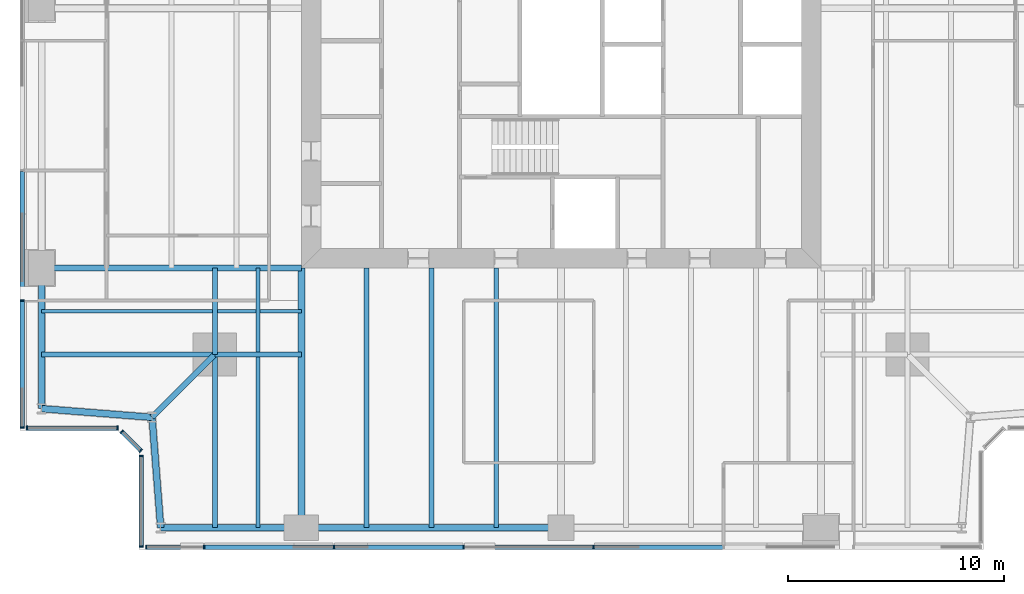
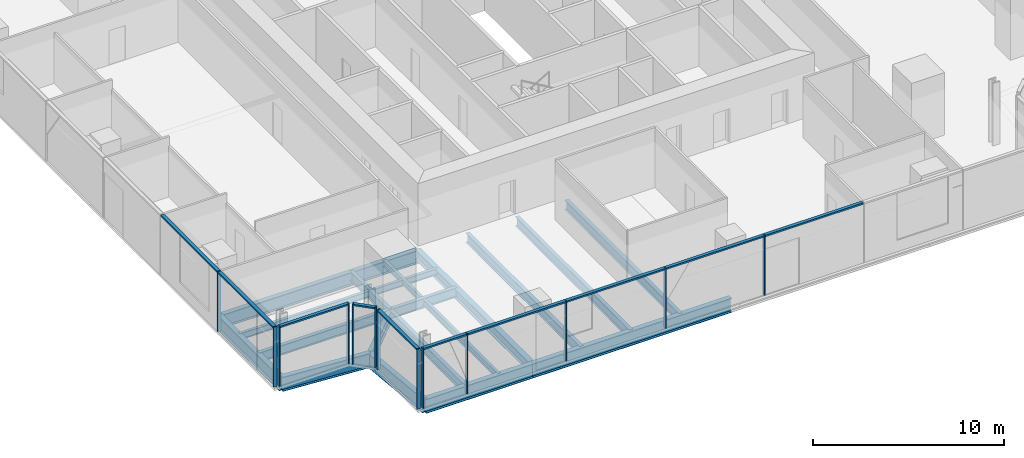
# One storey, part 2 of 14: 23 members, 20 beams, 5 elements without a shape of their own.
"""IFC4 building model written with IfcOpenShell, lengths in metres."""

import ifcopenshell
import ifcopenshell.guid

model = None  # the IFC model being written
_history = None  # IfcOwnerHistory: only IFC2X3 demands one
_inside = {}  # id of a spatial element -> (the spatial element, [elements in it])
_under = {}  # id of a project, library or spatial element -> (it, [spatial elements below it])
_declared = {}  # id of a project -> (the project, [libraries it declares])
_typed = {}  # id of a type object -> (the type object, [elements of that type])
_made_of = {}  # id of a material, layer set ... -> (it, [elements and type objects made of it])


def new_model(schema):
    """Start an empty IFC model of exactly this schema.

    Asked for "IFC4X3", IfcOpenShell would pick the latest addendum, in which some entities
    have other attributes; the version numbers below select the first issue.
    IFC2X3 requires an IfcOwnerHistory on every rooted entity: one is made here for all.
    """
    global model, _history
    if schema == "IFC4X3":
        model = ifcopenshell.file(schema_version=(4, 3, 0, 0))
    else:
        model = ifcopenshell.file(schema=schema)
    _inside.clear()
    _under.clear()
    _declared.clear()
    _typed.clear()
    _made_of.clear()
    _history = None
    if model.schema == "IFC2X3":
        org = make("IfcOrganization", Name="unknown")
        user = make(
            "IfcPersonAndOrganization",
            ThePerson=make("IfcPerson", FamilyName="unknown"),
            TheOrganization=org,
        )
        app = make(
            "IfcApplication",
            ApplicationDeveloper=org,
            Version="unknown",
            ApplicationFullName="unknown",
            ApplicationIdentifier="unknown",
        )
        _history = make(
            "IfcOwnerHistory",
            OwningUser=user,
            OwningApplication=app,
            ChangeAction="ADDED",
            CreationDate=0,
        )
    return model


def make(cls, **values):
    """One entity of the class cls with the attributes given. An attribute that is None is left unset."""
    return model.create_entity(
        cls, **{name: value for name, value in values.items() if value is not None}
    )


def rooted(cls, **values):
    """An entity with a GlobalId (a new one), such as an element, a storey or a relation."""
    return make(cls, GlobalId=ifcopenshell.guid.new(), OwnerHistory=_history, **values)


def si_unit(unit_type, name, prefix=None):
    """IfcSIUnit, for example si_unit("LENGTHUNIT", "METRE", prefix="MILLI")."""
    return make("IfcSIUnit", UnitType=unit_type, Prefix=prefix, Name=name)


def assignment(units):
    """IfcUnitAssignment: the units of a project."""
    return None if units is None else make("IfcUnitAssignment", Units=units)


def point(xyz):
    """IfcCartesianPoint."""
    return None if xyz is None else make("IfcCartesianPoint", Coordinates=xyz)


def direction(xyz):
    """IfcDirection."""
    return None if xyz is None else make("IfcDirection", DirectionRatios=xyz)


def frame(location, z_axis=None, x_axis=None):
    """IfcAxis2Placement3D, a coordinate frame: its origin and axes. An axis left out is left unset."""
    return make(
        "IfcAxis2Placement3D",
        Location=point(location),
        Axis=direction(z_axis),
        RefDirection=direction(x_axis),
    )


def frame_2d(location, x_axis=None):
    """IfcAxis2Placement2D, a coordinate frame in the plane: its origin and x axis."""
    return make(
        "IfcAxis2Placement2D", Location=point(location), RefDirection=direction(x_axis)
    )


def origin():
    """The frame at (0, 0, 0) with its axes left unset."""
    return frame((0.0, 0.0, 0.0))


def origin_2d():
    """The frame at (0, 0) in the plane with its x axis left unset."""
    return frame_2d((0.0, 0.0))


def place(relative_to, where):
    """IfcLocalPlacement: puts the frame where relative to a parent placement (None: the world)."""
    return make(
        "IfcLocalPlacement", PlacementRelTo=relative_to, RelativePlacement=where
    )


def context(
    kind, dimensions, precision=None, world=None, true_north=None, identifier=None
):
    """IfcGeometricRepresentationContext, for example the 3D "Model" context."""
    return make(
        "IfcGeometricRepresentationContext",
        ContextIdentifier=identifier,
        ContextType=kind,
        CoordinateSpaceDimension=dimensions,
        Precision=precision,
        WorldCoordinateSystem=world,
        TrueNorth=true_north,
    )


def subcontext(parent, identifier, kind, view, scale=None):
    """IfcGeometricRepresentationSubContext, for example "Body" below "Model"."""
    return make(
        "IfcGeometricRepresentationSubContext",
        ContextIdentifier=identifier,
        ContextType=kind,
        ParentContext=parent,
        TargetScale=scale,
        TargetView=view,
    )


def project(units=None, contexts=None):
    """IfcProject with its units and contexts."""
    return rooted(
        "IfcProject",
        Name="project",
        RepresentationContexts=contexts,
        UnitsInContext=assignment(units),
    )


def spatial(cls, under=None, at=None, **own):
    """A site, building, storey or space (cls), placed at a placement, below another one or the project."""
    s = rooted(cls, ObjectPlacement=at, **own)
    if under is not None:
        _under.setdefault(under.id(), (under, []))[1].append(s)
    return s


def profile(cls, at=None, kind="AREA", **sizes):
    """A parametric profile (cls). Its sizes go by their IFC names, for example OverallWidth=200.0."""
    return make(cls, ProfileType=kind, Position=at, **sizes)


def rectangle(**sizes):
    """IfcRectangleProfileDef."""
    return profile("IfcRectangleProfileDef", **sizes)


def i_section(**sizes):
    """IfcIShapeProfileDef."""
    return profile("IfcIShapeProfileDef", **sizes)


def extrude(swept, where, along, depth):
    """IfcExtrudedAreaSolid: the profile swept, set in the frame where, extruded along a direction by depth."""
    return make(
        "IfcExtrudedAreaSolid",
        SweptArea=swept,
        Position=where,
        ExtrudedDirection=direction(along),
        Depth=depth,
    )


def shape(context_of_items, identifier, shape_type, items):
    """IfcShapeRepresentation: the items that make up one representation, for example the "Body"."""
    return make(
        "IfcShapeRepresentation",
        ContextOfItems=context_of_items,
        RepresentationIdentifier=identifier,
        RepresentationType=shape_type,
        Items=items,
    )


def material(Name=None, Category=None):
    """IfcMaterial."""
    return make("IfcMaterial", Name=Name, Category=Category)


def material_profile(
    of_material, cross_section, Name=None, Category=None, Priority=None
):
    """IfcMaterialProfile: a cross section and its material."""
    return make(
        "IfcMaterialProfile",
        Name=Name,
        Material=of_material,
        Profile=cross_section,
        Priority=Priority,
        Category=Category,
    )


def profile_set(profiles, Name=None, composite=None):
    """IfcMaterialProfileSet."""
    return make(
        "IfcMaterialProfileSet",
        Name=Name,
        MaterialProfiles=profiles,
        CompositeProfile=composite,
    )


def made_of(thing, what):
    """Note that an element or type object is made of a material, layer set ...; save() writes the relation."""
    if what is not None:
        _made_of.setdefault(what.id(), (what, []))[1].append(thing)
    return thing


def type_object(cls, material=None, **own):
    """A type object (cls), such as IfcWallType, which elements share."""
    return made_of(rooted(cls, **own), material)


def element(
    cls,
    number,
    at=None,
    inside=None,
    cuts=None,
    type_object=None,
    material=None,
    context=None,
    identifier="Body",
    shape_type=None,
    held_by="IfcProductDefinitionShape",
    body=None,
    shapes=None,
    **own,
):
    """One element of the class cls, such as IfcWall. Its Tag is "e" and its number.

    at: its placement. inside: the storey or other place that contains it. cuts: it is an
    opening in that element (IfcRelVoidsElement). A single representation is given by context,
    identifier, shape_type and body (its items); several are given by shapes. held_by: the class
    of the entity that holds the representations. save() writes the other relations.
    """
    e = rooted(cls, Tag="e%d" % number, ObjectPlacement=at, **own)
    if body is not None:
        shapes = [shape(context, identifier, shape_type, body)]
    if shapes is not None:
        e.Representation = make(held_by, Representations=shapes)
    if inside is not None:
        _inside.setdefault(inside.id(), (inside, []))[1].append(e)
    if cuts is not None:
        rooted(
            "IfcRelVoidsElement", RelatingBuildingElement=cuts, RelatedOpeningElement=e
        )
    if type_object is not None:
        _typed.setdefault(type_object.id(), (type_object, []))[1].append(e)
    return made_of(e, material)


def aggregate(whole, parts):
    """IfcRelAggregates: a whole, such as a stair, and the parts it consists of."""
    return rooted("IfcRelAggregates", RelatingObject=whole, RelatedObjects=parts)


def save(model, path):
    """Write the relations noted so far, then the file.

    IfcRelAggregates (storeys below a building ...), IfcRelContainedInSpatialStructure (elements
    in a storey), IfcRelDefinesByType, IfcRelAssociatesMaterial and IfcRelDeclares: one each for
    every whole, place, type object, material and project.
    """
    for whole, parts in _under.values():
        aggregate(whole, parts)
    for where, things in _inside.values():
        rooted(
            "IfcRelContainedInSpatialStructure",
            RelatedElements=things,
            RelatingStructure=where,
        )
    for kind, things in _typed.values():
        rooted("IfcRelDefinesByType", RelatedObjects=things, RelatingType=kind)
    for what, things in _made_of.values():
        rooted("IfcRelAssociatesMaterial", RelatedObjects=things, RelatingMaterial=what)
    for by, libraries in _declared.values():
        rooted("IfcRelDeclares", RelatingContext=by, RelatedDefinitions=libraries)
    model.write(path)


model = new_model("IFC4")

# Units and contexts
model_context = context("Model", 3, precision=1e-05, world=origin(), true_north=direction((0.0, 1.0)))
body_context = subcontext(model_context, "Body", "Model", "MODEL_VIEW")
ifc_project = project(units=[si_unit("LENGTHUNIT", "METRE"), si_unit("AREAUNIT", "SQUARE_METRE"), si_unit("VOLUMEUNIT", "CUBIC_METRE"), si_unit("PLANEANGLEUNIT", "RADIAN"), si_unit("MASSUNIT", "GRAM", prefix="KILO")], contexts=[model_context])

# Site, building, storey
site_placement = place(None, origin())
site = spatial("IfcSite", under=ifc_project, at=site_placement, CompositionType="ELEMENT")
building_placement = place(site_placement, origin())
building = spatial("IfcBuilding", under=site, at=building_placement, Name="Fenwick Lantern Interchange", CompositionType="ELEMENT")
storey_placement = place(building_placement, frame((0.0, 0.0, 173.800048828125)))
storey = spatial("IfcBuildingStorey", under=building, at=storey_placement, Name="L40", CompositionType="ELEMENT", Elevation=173.800048828125)

# Beams
ifc_material_1 = material(Name="Steel ASTM A992 Grade 50", Category="steel")
ifc_material_profile_1 = material_profile(ifc_material_1, i_section(OverallWidth=0.3046875, OverallDepth=0.911865234375, WebThickness=0.015869140625, FlangeThickness=0.02392578125, at=origin_2d()), Name="W36X150")
ifc_profile_set_1 = profile_set([ifc_material_profile_1], Name="Steel ASTM A992 Grade 50")
beam_type_1 = type_object("IfcBeamType", Name="EDGE BEAM W36X150", PredefinedType="SPANDREL", material=ifc_profile_set_1)
beam_1_placement = place(storey_placement, frame((6.5, 1.0, -0.60595703125), z_axis=(1.0, 0.0, 0.0), x_axis=(0.0, 1.0, 0.0)))
element("IfcBeam", 1, at=beam_1_placement, inside=storey, type_object=beam_type_1, Name="L40/FR/S/EB1", PredefinedType="SPANDREL", context=body_context, shape_type="SweptSolid", body=[
    extrude(i_section(OverallWidth=0.3046875, OverallDepth=0.911865234375, WebThickness=0.015869140625, FlangeThickness=0.02392578125, at=origin_2d()), origin(), (0.0, 0.0, 1.0), 6.5),
])
beam_2_placement = place(storey_placement, frame((13.0, 1.0, -0.60595703125), z_axis=(1.0, 0.0, 0.0), x_axis=(0.0, 1.0, 0.0)))
element("IfcBeam", 2, at=beam_2_placement, inside=storey, type_object=beam_type_1, Name="L40/FR/S/EB2", PredefinedType="SPANDREL", context=body_context, shape_type="SweptSolid", body=[
    extrude(i_section(OverallWidth=0.3046875, OverallDepth=0.911865234375, WebThickness=0.015869140625, FlangeThickness=0.02392578125, at=origin_2d()), origin(), (0.0, 0.0, 1.0), 12.0),
])
beam_3_placement = place(storey_placement, frame((1.0, 13.0, -0.60595703125), z_axis=(0.0, -1.0, 0.0), x_axis=(1.0, 0.0, 0.0)))
element("IfcBeam", 3, at=beam_3_placement, inside=storey, type_object=beam_type_1, Name="L40/FR/W/EB4", PredefinedType="SPANDREL", context=body_context, shape_type="SweptSolid", body=[
    extrude(i_section(OverallWidth=0.3046875, OverallDepth=0.911865234375, WebThickness=0.015869140625, FlangeThickness=0.02392578125, at=origin_2d()), origin(), (0.0, 0.0, 1.0), 6.5),
])
for number, where, z_axis, x_axis, name in (
    (4, (1.0, 6.5, -0.60595703125), (0.99693998236, -0.078170784639, 0.0), (0.078170784639, 0.99693998236, 0.0), "L40/FR/W/EBR1"),
    (5, (6.10009765625, 6.10009765625, -0.60595703125), (0.078170784639, -0.99693998236, 0.0), (0.99693998236, 0.078170784639, 0.0), "L40/FR/W/EBR2"),
):
    element("IfcBeam", number, at=place(storey_placement, frame(where, z_axis=z_axis, x_axis=x_axis)), inside=storey, type_object=beam_type_1, Name=name, PredefinedType="SPANDREL", context=body_context, shape_type="SweptSolid", body=[
        extrude(i_section(OverallWidth=0.3046875, OverallDepth=0.911865234375, WebThickness=0.015869140625, FlangeThickness=0.02392578125, at=origin_2d()), origin(), (0.0, 0.0, 1.0), 5.11572265625),
    ])
ifc_material_profile_2 = material_profile(ifc_material_1, i_section(OverallWidth=0.22900390625, OverallDepth=0.612060546875, WebThickness=0.011962890625, FlangeThickness=0.01953125, at=origin_2d()), Name="W24X84")
ifc_profile_set_2 = profile_set([ifc_material_profile_2], Name="Steel ASTM A992 Grade 50")
beam_type_2 = type_object("IfcBeamType", Name="FLOOR BEAM W24X84", PredefinedType="BEAM", material=ifc_profile_set_2)
for number, where, z_axis, x_axis, name in (
    (6, (16.0, 1.0, -0.4560546875), (0.0, 1.0, 0.0), (-1.0, 0.0, 0.0), "L40/FR/S/R02"),
    (7, (19.0, 1.0, -0.4560546875), (0.0, 1.0, 0.0), (-1.0, 0.0, 0.0), "L40/FR/S/R03"),
    (8, (22.0, 1.0, -0.4560546875), (0.0, 1.0, 0.0), (-1.0, 0.0, 0.0), "L40/FR/S/R04"),
):
    element("IfcBeam", number, at=place(storey_placement, frame(where, z_axis=z_axis, x_axis=x_axis)), inside=storey, type_object=beam_type_2, Name=name, PredefinedType="BEAM", context=body_context, shape_type="SweptSolid", body=[
        extrude(i_section(OverallWidth=0.22900390625, OverallDepth=0.612060546875, WebThickness=0.011962890625, FlangeThickness=0.01953125, at=origin_2d()), origin(), (0.0, 0.0, 1.0), 12.0),
    ])
ifc_material_profile_3 = material_profile(ifc_material_1, i_section(OverallWidth=0.177734375, OverallDepth=0.406494140625, WebThickness=0.0078125, FlangeThickness=0.012939453125, at=origin_2d()), Name="W16X40")
ifc_profile_set_3 = profile_set([ifc_material_profile_3], Name="Steel ASTM A992 Grade 50")
beam_type_3 = type_object("IfcBeamType", Name="INFILL BEAM W16X40", PredefinedType="JOIST", material=ifc_profile_set_3)
beam_4_placement = place(storey_placement, frame((11.0, 1.0, -0.353271484375), z_axis=(0.0, 1.0, 0.0), x_axis=(-1.0, 0.0, 0.0)))
element("IfcBeam", 9, at=beam_4_placement, inside=storey, type_object=beam_type_3, Name="L40/FR/S/J1", PredefinedType="JOIST", context=body_context, shape_type="SweptSolid", body=[
    extrude(i_section(OverallWidth=0.177734375, OverallDepth=0.406494140625, WebThickness=0.0078125, FlangeThickness=0.012939453125, at=origin_2d()), origin(), (0.0, 0.0, 1.0), 7.885498046875),
])
beam_5_placement = place(storey_placement, frame((11.0, 9.114501953125, -0.353271484375), z_axis=(0.0, 1.0, 0.0), x_axis=(-1.0, 0.0, 0.0)))
element("IfcBeam", 10, at=beam_5_placement, inside=storey, type_object=beam_type_3, Name="L40/FR/S/J2", PredefinedType="JOIST", context=body_context, shape_type="SweptSolid", body=[
    extrude(i_section(OverallWidth=0.177734375, OverallDepth=0.406494140625, WebThickness=0.0078125, FlangeThickness=0.012939453125, at=origin_2d()), origin(), (0.0, 0.0, 1.0), 3.885498046875),
])
beam_6_placement = place(storey_placement, frame((1.0, 11.0, -0.353271484375), z_axis=(1.0, 0.0, 0.0), x_axis=(0.0, 1.0, 0.0)))
element("IfcBeam", 11, at=beam_6_placement, inside=storey, type_object=beam_type_3, Name="L40/FR/S/J3", PredefinedType="JOIST", context=body_context, shape_type="SweptSolid", body=[
    extrude(i_section(OverallWidth=0.177734375, OverallDepth=0.406494140625, WebThickness=0.0078125, FlangeThickness=0.012939453125, at=origin_2d()), origin(), (0.0, 0.0, 1.0), 7.885498046875),
])
beam_7_placement = place(storey_placement, frame((9.114501953125, 11.0, -0.353271484375), z_axis=(1.0, 0.0, 0.0), x_axis=(0.0, 1.0, 0.0)))
element("IfcBeam", 12, at=beam_7_placement, inside=storey, type_object=beam_type_3, Name="L40/FR/S/J4", PredefinedType="JOIST", context=body_context, shape_type="SweptSolid", body=[
    extrude(i_section(OverallWidth=0.177734375, OverallDepth=0.406494140625, WebThickness=0.0078125, FlangeThickness=0.012939453125, at=origin_2d()), origin(), (0.0, 0.0, 1.0), 1.796630859375),
])
beam_8_placement = place(storey_placement, frame((11.0888671875, 11.0, -0.353271484375), z_axis=(1.0, 0.0, 0.0), x_axis=(0.0, 1.0, 0.0)))
element("IfcBeam", 13, at=beam_8_placement, inside=storey, type_object=beam_type_3, Name="L40/FR/S/J5", PredefinedType="JOIST", context=body_context, shape_type="SweptSolid", body=[
    extrude(i_section(OverallWidth=0.177734375, OverallDepth=0.406494140625, WebThickness=0.0078125, FlangeThickness=0.012939453125, at=origin_2d()), origin(), (0.0, 0.0, 1.0), 1.9111328125),
])
ifc_material_profile_4 = material_profile(ifc_material_1, i_section(OverallWidth=0.22900390625, OverallDepth=0.612060546875, WebThickness=0.011962890625, FlangeThickness=0.01953125, at=origin_2d()), Name="W24X84")
ifc_profile_set_4 = profile_set([ifc_material_profile_4], Name="Steel ASTM A992 Grade 50")
beam_type_4 = type_object("IfcBeamType", Name="MEGA COLUMN BEAM W24X84", PredefinedType="BEAM", material=ifc_profile_set_4)
for number, where, z_axis, x_axis, name in (
    (14, (9.0, 9.0, -0.4560546875), (0.0, -1.0, 0.0), (1.0, 0.0, 0.0), "L40/FR/S/MB1"),
    (15, (9.0, 9.0, -0.4560546875), (-1.0, 0.0, 0.0), (0.0, -1.0, 0.0), "L40/FR/S/MB2"),
):
    element("IfcBeam", number, at=place(storey_placement, frame(where, z_axis=z_axis, x_axis=x_axis)), inside=storey, type_object=beam_type_4, Name=name, PredefinedType="BEAM", context=body_context, shape_type="SweptSolid", body=[
        extrude(i_section(OverallWidth=0.22900390625, OverallDepth=0.612060546875, WebThickness=0.011962890625, FlangeThickness=0.01953125, at=origin_2d()), origin(), (0.0, 0.0, 1.0), 8.0),
    ])
for number, where, z_axis, x_axis, name in (
    (16, (9.0, 9.0, -0.4560546875), (1.0, 0.0, 0.0), (0.0, 1.0, 0.0), "L40/FR/S/MB3"),
    (17, (9.0, 9.0, -0.4560546875), (0.0, 1.0, 0.0), (-1.0, 0.0, 0.0), "L40/FR/S/MB4"),
):
    element("IfcBeam", number, at=place(storey_placement, frame(where, z_axis=z_axis, x_axis=x_axis)), inside=storey, type_object=beam_type_4, Name=name, PredefinedType="BEAM", context=body_context, shape_type="SweptSolid", body=[
        extrude(i_section(OverallWidth=0.22900390625, OverallDepth=0.612060546875, WebThickness=0.011962890625, FlangeThickness=0.01953125, at=origin_2d()), origin(), (0.0, 0.0, 1.0), 4.0),
    ])
ifc_material_profile_5 = material_profile(ifc_material_1, i_section(OverallWidth=0.32763671875, OverallDepth=0.622314453125, WebThickness=0.015380859375, FlangeThickness=0.0244140625, at=origin_2d()), Name="W24X131")
ifc_profile_set_5 = profile_set([ifc_material_profile_5], Name="Steel ASTM A992 Grade 50")
beam_type_5 = type_object("IfcBeamType", Name="MOMENT-CONNECTED GIRDER W24X131", PredefinedType="BEAM", material=ifc_profile_set_5)
beam_9_placement = place(storey_placement, frame((13.0, 1.0, -0.461181640625), z_axis=(0.0, 1.0, 0.0), x_axis=(-1.0, 0.0, 0.0)))
element("IfcBeam", 18, at=beam_9_placement, inside=storey, type_object=beam_type_5, Name="L40/FR/S/R01", PredefinedType="BEAM", context=body_context, shape_type="SweptSolid", body=[
    extrude(i_section(OverallWidth=0.32763671875, OverallDepth=0.622314453125, WebThickness=0.015380859375, FlangeThickness=0.0244140625, at=origin_2d()), origin(), (0.0, 0.0, 1.0), 12.0),
])
ifc_material_profile_6 = material_profile(ifc_material_1, i_section(OverallWidth=0.2919921875, OverallDepth=0.845703125, WebThickness=0.015380859375, FlangeThickness=0.0244140625, at=origin_2d()), Name="W33X141")
ifc_profile_set_6 = profile_set([ifc_material_profile_6], Name="Steel ASTM A992 Grade 50")
beam_type_6 = type_object("IfcBeamType", Name="MOMENT-CONNECTED GIRDER W33X141", PredefinedType="BEAM", material=ifc_profile_set_6)
beam_10_placement = place(storey_placement, frame((1.0, 13.0, -0.572998046875), z_axis=(1.0, 0.0, 0.0), x_axis=(0.0, 1.0, 0.0)))
element("IfcBeam", 19, at=beam_10_placement, inside=storey, type_object=beam_type_6, Name="L40/FR/W/R03", PredefinedType="BEAM", context=body_context, shape_type="SweptSolid", body=[
    extrude(i_section(OverallWidth=0.2919921875, OverallDepth=0.845703125, WebThickness=0.015380859375, FlangeThickness=0.0244140625, at=origin_2d()), origin(), (0.0, 0.0, 1.0), 12.0),
])
ifc_material_profile_7 = material_profile(ifc_material_1, i_section(OverallWidth=0.2666015625, OverallDepth=0.7568359375, WebThickness=0.013916015625, FlangeThickness=0.019287109375, at=origin_2d()), Name="W30X108")
ifc_profile_set_7 = profile_set([ifc_material_profile_7], Name="Steel ASTM A992 Grade 50")
beam_type_7 = type_object("IfcBeamType", Name="NOTCH BEAM W30X108", PredefinedType="BEAM", material=ifc_profile_set_7)
beam_11_placement = place(storey_placement, frame((9.0, 9.0, -0.528564453125), z_axis=(-0.707106781187, -0.707106781187, 0.0), x_axis=(0.707106781187, -0.707106781187, 0.0)))
element("IfcBeam", 20, at=beam_11_placement, inside=storey, type_object=beam_type_7, Name="L40/FR/S/TG", PredefinedType="BEAM", context=body_context, shape_type="SweptSolid", body=[
    extrude(i_section(OverallWidth=0.2666015625, OverallDepth=0.7568359375, WebThickness=0.013916015625, FlangeThickness=0.019287109375, at=origin_2d()), origin(), (0.0, 0.0, 1.0), 4.10107421875),
])

# Curtain wall, members
ifc_material_2 = material(Name="Aluminium curtain wall frame", Category="aluminium")
curtain_wall_type = type_object("IfcCurtainWallType", Name="OFFICE CURTAIN WALL", PredefinedType="USERDEFINED", material=ifc_material_2)
curtain_wall_1_placement = place(storey_placement, origin())
curtain_wall_1 = element("IfcCurtainWall", 21, at=curtain_wall_1_placement, inside=storey, type_object=curtain_wall_type, Name="Office curtain wall 01", ObjectType="OFFICE CURTAIN WALL", PredefinedType="USERDEFINED")
ifc_material_3 = material(Name="Aluminium extrusion", Category="aluminium")
ifc_material_profile_8 = material_profile(ifc_material_3, rectangle(XDim=0.199951171875, YDim=0.06494140625, at=origin_2d()), Name="OFFICE CURTAIN WALL MULLION 65 X 200")
ifc_profile_set_8 = profile_set([ifc_material_profile_8], Name="Aluminium extrusion")
member_type_1 = type_object("IfcMemberType", Name="OFFICE CURTAIN WALL MULLION 65 X 200", PredefinedType="MULLION", material=ifc_profile_set_8)
member_1_placement = place(storey_placement, frame((5.83251953125, 0.10009765625, 0.0), z_axis=(0.0, 0.0, 1.0), x_axis=(0.0, 1.0, 0.0)))
member_1 = element("IfcMember", 22, at=member_1_placement, type_object=member_type_1, Name="L40/CW/01/M00", PredefinedType="MULLION", context=body_context, shape_type="SweptSolid", body=[
    extrude(rectangle(XDim=0.199951171875, YDim=0.06494140625, at=origin_2d()), origin(), (0.0, 0.0, 1.0), 3.849853515625),
])
member_2_placement = place(storey_placement, frame((8.5, 0.10009765625, 0.0), z_axis=(0.0, 0.0, 1.0), x_axis=(0.0, 1.0, 0.0)))
member_2 = element("IfcMember", 23, at=member_2_placement, type_object=member_type_1, Name="L40/CW/01/M01", PredefinedType="MULLION", context=body_context, shape_type="SweptSolid", body=[
    extrude(rectangle(XDim=0.199951171875, YDim=0.06494140625, at=origin_2d()), origin(), (0.0, 0.0, 1.0), 3.849853515625),
])
member_3_placement = place(storey_placement, frame((14.5, 0.10009765625, 0.0), z_axis=(0.0, 0.0, 1.0), x_axis=(0.0, 1.0, 0.0)))
member_3 = element("IfcMember", 24, at=member_3_placement, type_object=member_type_1, Name="L40/CW/01/M02", PredefinedType="MULLION", context=body_context, shape_type="SweptSolid", body=[
    extrude(rectangle(XDim=0.199951171875, YDim=0.06494140625, at=origin_2d()), origin(), (0.0, 0.0, 1.0), 3.849853515625),
])
member_4_placement = place(storey_placement, frame((20.5, 0.10009765625, 0.0), z_axis=(0.0, 0.0, 1.0), x_axis=(0.0, 1.0, 0.0)))
member_4 = element("IfcMember", 25, at=member_4_placement, type_object=member_type_1, Name="L40/CW/01/M03", PredefinedType="MULLION", context=body_context, shape_type="SweptSolid", body=[
    extrude(rectangle(XDim=0.199951171875, YDim=0.06494140625, at=origin_2d()), origin(), (0.0, 0.0, 1.0), 3.849853515625),
])
member_5_placement = place(storey_placement, frame((26.5, 0.10009765625, 0.0), z_axis=(0.0, 0.0, 1.0), x_axis=(0.0, 1.0, 0.0)))
member_5 = element("IfcMember", 26, at=member_5_placement, type_object=member_type_1, Name="L40/CW/01/M04", PredefinedType="MULLION", context=body_context, shape_type="SweptSolid", body=[
    extrude(rectangle(XDim=0.199951171875, YDim=0.06494140625, at=origin_2d()), origin(), (0.0, 0.0, 1.0), 3.849853515625),
])

curtain_wall_2_placement = place(storey_placement, origin())
curtain_wall_2 = element("IfcCurtainWall", 27, at=curtain_wall_2_placement, inside=storey, type_object=curtain_wall_type, Name="Office curtain wall 13", ObjectType="OFFICE CURTAIN WALL", PredefinedType="USERDEFINED")
member_6_placement = place(storey_placement, frame((0.10009765625, 11.5, 0.0), z_axis=(0.0, 0.0, 1.0), x_axis=(1.0, 0.0, 0.0)))
member_6 = element("IfcMember", 28, at=member_6_placement, type_object=member_type_1, Name="L40/CW/13/M06", PredefinedType="MULLION", context=body_context, shape_type="SweptSolid", body=[
    extrude(rectangle(XDim=0.199951171875, YDim=0.06494140625, at=origin_2d()), origin(), (0.0, 0.0, 1.0), 3.849853515625),
])
member_7_placement = place(storey_placement, frame((0.10009765625, 5.632568359375, 0.0), z_axis=(0.0, 0.0, 1.0), x_axis=(1.0, 0.0, 0.0)))
member_7 = element("IfcMember", 29, at=member_7_placement, type_object=member_type_1, Name="L40/CW/13/M07", PredefinedType="MULLION", context=body_context, shape_type="SweptSolid", body=[
    extrude(rectangle(XDim=0.199951171875, YDim=0.06494140625, at=origin_2d()), origin(), (0.0, 0.0, 1.0), 3.849853515625),
])

curtain_wall_3_placement = place(storey_placement, origin())
curtain_wall_3 = element("IfcCurtainWall", 30, at=curtain_wall_3_placement, inside=storey, type_object=curtain_wall_type, Name="Office curtain wall 14", ObjectType="OFFICE CURTAIN WALL", PredefinedType="USERDEFINED")
member_8_placement = place(storey_placement, frame((0.33251953125, 5.60009765625, 0.0), z_axis=(0.0, 0.0, 1.0), x_axis=(0.0, 1.0, 0.0)))
member_8 = element("IfcMember", 31, at=member_8_placement, type_object=member_type_1, Name="L40/CW/14/M00", PredefinedType="MULLION", context=body_context, shape_type="SweptSolid", body=[
    extrude(rectangle(XDim=0.199951171875, YDim=0.06494140625, at=origin_2d()), origin(), (0.0, 0.0, 1.0), 3.849853515625),
])
member_9_placement = place(storey_placement, frame((4.509033203125, 5.60009765625, 0.0), z_axis=(0.0, 0.0, 1.0), x_axis=(0.0, 1.0, 0.0)))
member_9 = element("IfcMember", 32, at=member_9_placement, type_object=member_type_1, Name="L40/CW/14/M01", PredefinedType="MULLION", context=body_context, shape_type="SweptSolid", body=[
    extrude(rectangle(XDim=0.199951171875, YDim=0.06494140625, at=origin_2d()), origin(), (0.0, 0.0, 1.0), 3.849853515625),
])

curtain_wall_4_placement = place(storey_placement, origin())
curtain_wall_4 = element("IfcCurtainWall", 33, at=curtain_wall_4_placement, inside=storey, type_object=curtain_wall_type, Name="Office curtain wall 15", ObjectType="OFFICE CURTAIN WALL", PredefinedType="USERDEFINED")
member_10_placement = place(storey_placement, frame((4.705810546875, 5.435546875, 0.0), z_axis=(0.0, 0.0, 1.0), x_axis=(0.707106781187, 0.707106781187, 0.0)))
member_10 = element("IfcMember", 34, at=member_10_placement, type_object=member_type_1, Name="L40/CW/15/M00", PredefinedType="MULLION", context=body_context, shape_type="SweptSolid", body=[
    extrude(rectangle(XDim=0.199951171875, YDim=0.06494140625, at=origin_2d()), origin(), (0.0, 0.0, 1.0), 3.849853515625),
])
member_11_placement = place(storey_placement, frame((5.576904296875, 4.564453125, 0.0), z_axis=(0.0, 0.0, 1.0), x_axis=(0.707106781187, 0.707106781187, 0.0)))
member_11 = element("IfcMember", 35, at=member_11_placement, type_object=member_type_1, Name="L40/CW/15/M01", PredefinedType="MULLION", context=body_context, shape_type="SweptSolid", body=[
    extrude(rectangle(XDim=0.199951171875, YDim=0.06494140625, at=origin_2d()), origin(), (0.0, 0.0, 1.0), 3.849853515625),
])

curtain_wall_5_placement = place(storey_placement, origin())
curtain_wall_5 = element("IfcCurtainWall", 36, at=curtain_wall_5_placement, inside=storey, type_object=curtain_wall_type, Name="Office curtain wall 16", ObjectType="OFFICE CURTAIN WALL", PredefinedType="USERDEFINED")
member_12_placement = place(storey_placement, frame((5.60009765625, 4.308837890625, 0.0), z_axis=(0.0, 0.0, 1.0), x_axis=(1.0, 0.0, 0.0)))
member_12 = element("IfcMember", 37, at=member_12_placement, type_object=member_type_1, Name="L40/CW/16/M00", PredefinedType="MULLION", context=body_context, shape_type="SweptSolid", body=[
    extrude(rectangle(XDim=0.199951171875, YDim=0.06494140625, at=origin_2d()), origin(), (0.0, 0.0, 1.0), 3.849853515625),
])
member_13_placement = place(storey_placement, frame((5.60009765625, 0.132568359375, 0.0), z_axis=(0.0, 0.0, 1.0), x_axis=(1.0, 0.0, 0.0)))
member_13 = element("IfcMember", 38, at=member_13_placement, type_object=member_type_1, Name="L40/CW/16/M01", PredefinedType="MULLION", context=body_context, shape_type="SweptSolid", body=[
    extrude(rectangle(XDim=0.199951171875, YDim=0.06494140625, at=origin_2d()), origin(), (0.0, 0.0, 1.0), 3.849853515625),
])

# Member
ifc_material_profile_9 = material_profile(ifc_material_3, rectangle(XDim=0.199951171875, YDim=0.10009765625, at=origin_2d()), Name="OFFICE CURTAIN WALL TRANSOM 100 X 200")
ifc_profile_set_9 = profile_set([ifc_material_profile_9], Name="Aluminium extrusion")
member_type_2 = type_object("IfcMemberType", Name="OFFICE CURTAIN WALL TRANSOM 100 X 200", PredefinedType="MULLION", material=ifc_profile_set_9)
member_14_placement = place(storey_placement, frame((5.864990234375, 0.10009765625, 3.800048828125), z_axis=(1.0, 0.0, 0.0), x_axis=(0.0, 1.0, 0.0)))
member_14 = element("IfcMember", 39, at=member_14_placement, type_object=member_type_2, Name="L40/CW/01/T00", PredefinedType="MULLION", context=body_context, shape_type="SweptSolid", body=[
    extrude(rectangle(XDim=0.199951171875, YDim=0.10009765625, at=origin_2d()), origin(), (0.0, 0.0, 1.0), 2.6025390625),
])

member_15_placement = place(storey_placement, frame((8.532470703125, 0.10009765625, 3.800048828125), z_axis=(1.0, 0.0, 0.0), x_axis=(0.0, 1.0, 0.0)))
member_15 = element("IfcMember", 40, at=member_15_placement, type_object=member_type_2, Name="L40/CW/01/T01", PredefinedType="MULLION", context=body_context, shape_type="SweptSolid", body=[
    extrude(rectangle(XDim=0.199951171875, YDim=0.10009765625, at=origin_2d()), origin(), (0.0, 0.0, 1.0), 5.93505859375),
])

member_16_placement = place(storey_placement, frame((14.532470703125, 0.10009765625, 3.800048828125), z_axis=(1.0, 0.0, 0.0), x_axis=(0.0, 1.0, 0.0)))
member_16 = element("IfcMember", 41, at=member_16_placement, type_object=member_type_2, Name="L40/CW/01/T02", PredefinedType="MULLION", context=body_context, shape_type="SweptSolid", body=[
    extrude(rectangle(XDim=0.199951171875, YDim=0.10009765625, at=origin_2d()), origin(), (0.0, 0.0, 1.0), 5.93505859375),
])

member_17_placement = place(storey_placement, frame((20.532470703125, 0.10009765625, 3.800048828125), z_axis=(1.0, 0.0, 0.0), x_axis=(0.0, 1.0, 0.0)))
member_17 = element("IfcMember", 42, at=member_17_placement, type_object=member_type_2, Name="L40/CW/01/T03", PredefinedType="MULLION", context=body_context, shape_type="SweptSolid", body=[
    extrude(rectangle(XDim=0.199951171875, YDim=0.10009765625, at=origin_2d()), origin(), (0.0, 0.0, 1.0), 5.93505859375),
])

member_18_placement = place(storey_placement, frame((26.532470703125, 0.10009765625, 3.800048828125), z_axis=(1.0, 0.0, 0.0), x_axis=(0.0, 1.0, 0.0)))
member_18 = element("IfcMember", 43, at=member_18_placement, type_object=member_type_2, Name="L40/CW/01/T04", PredefinedType="MULLION", context=body_context, shape_type="SweptSolid", body=[
    extrude(rectangle(XDim=0.199951171875, YDim=0.10009765625, at=origin_2d()), origin(), (0.0, 0.0, 1.0), 5.93505859375),
])

aggregate(curtain_wall_1, [member_1, member_2, member_3, member_4, member_5, member_14, member_15, member_16, member_17, member_18])

member_19_placement = place(storey_placement, frame((0.10009765625, 17.467529296875, 3.800048828125), z_axis=(0.0, -1.0, 0.0), x_axis=(1.0, 0.0, 0.0)))
member_19 = element("IfcMember", 44, at=member_19_placement, type_object=member_type_2, Name="L40/CW/13/T05", PredefinedType="MULLION", context=body_context, shape_type="SweptSolid", body=[
    extrude(rectangle(XDim=0.199951171875, YDim=0.10009765625, at=origin_2d()), origin(), (0.0, 0.0, 1.0), 5.93505859375),
])

member_20_placement = place(storey_placement, frame((0.10009765625, 11.467529296875, 3.800048828125), z_axis=(0.0, -1.0, 0.0), x_axis=(1.0, 0.0, 0.0)))
member_20 = element("IfcMember", 45, at=member_20_placement, type_object=member_type_2, Name="L40/CW/13/T06", PredefinedType="MULLION", context=body_context, shape_type="SweptSolid", body=[
    extrude(rectangle(XDim=0.199951171875, YDim=0.10009765625, at=origin_2d()), origin(), (0.0, 0.0, 1.0), 5.802490234375),
])

aggregate(curtain_wall_2, [member_6, member_7, member_19, member_20])

member_21_placement = place(storey_placement, frame((0.364990234375, 5.60009765625, 3.800048828125), z_axis=(1.0, 0.0, 0.0), x_axis=(0.0, 1.0, 0.0)))
member_21 = element("IfcMember", 46, at=member_21_placement, type_object=member_type_2, Name="L40/CW/14/T00", PredefinedType="MULLION", context=body_context, shape_type="SweptSolid", body=[
    extrude(rectangle(XDim=0.199951171875, YDim=0.10009765625, at=origin_2d()), origin(), (0.0, 0.0, 1.0), 4.111328125),
])

aggregate(curtain_wall_3, [member_8, member_9, member_21])

member_22_placement = place(storey_placement, frame((4.728759765625, 5.41259765625, 3.800048828125), z_axis=(0.707106781187, -0.707106781187, 0.0), x_axis=(0.707106781187, 0.707106781187, 0.0)))
member_22 = element("IfcMember", 47, at=member_22_placement, type_object=member_type_2, Name="L40/CW/15/T00", PredefinedType="MULLION", context=body_context, shape_type="SweptSolid", body=[
    extrude(rectangle(XDim=0.199951171875, YDim=0.10009765625, at=origin_2d()), origin(), (0.0, 0.0, 1.0), 1.1669921875),
])

aggregate(curtain_wall_4, [member_10, member_11, member_22])

member_23_placement = place(storey_placement, frame((5.60009765625, 4.2763671875, 3.800048828125), z_axis=(0.0, -1.0, 0.0), x_axis=(1.0, 0.0, 0.0)))
member_23 = element("IfcMember", 48, at=member_23_placement, type_object=member_type_2, Name="L40/CW/16/T00", PredefinedType="MULLION", context=body_context, shape_type="SweptSolid", body=[
    extrude(rectangle(XDim=0.199951171875, YDim=0.10009765625, at=origin_2d()), origin(), (0.0, 0.0, 1.0), 4.111328125),
])

aggregate(curtain_wall_5, [member_12, member_13, member_23])

save(model, "model.ifc")
